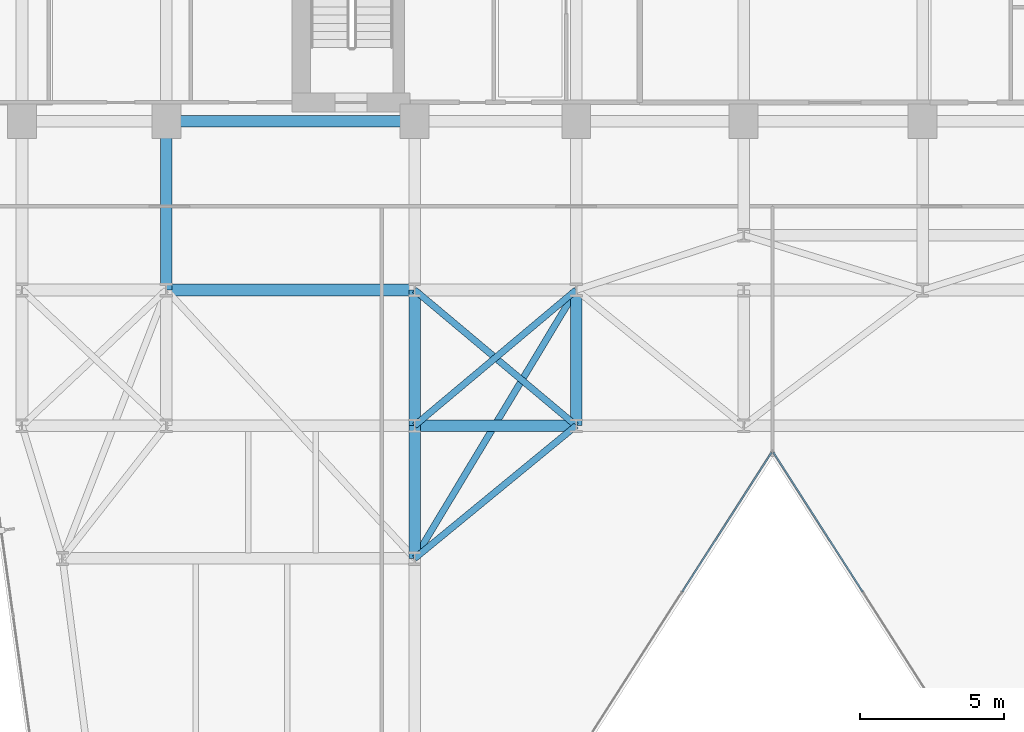
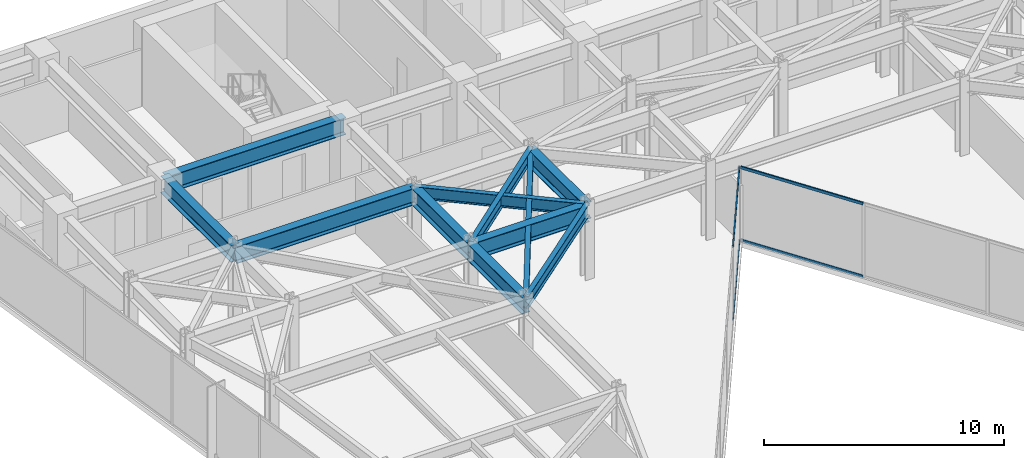
# One storey, part 12 of 26: 11 beams, 4 members, 2 elements without a shape of their own.
"""IFC4 building model written with IfcOpenShell, lengths in metres."""

from ifc_helpers import new_model, si_unit, direction, frame, origin, origin_2d, place, context, subcontext, project, spatial, hollow_rectangle, i_section, extrude, material, layer, layer_set, material_profile, profile_set, type_object, element, aggregate, save


model = new_model("IFC4")

# Units and contexts
model_context = context("Model", 3, precision=1e-05, world=origin(), true_north=direction((0.0, 1.0)))
body_context = subcontext(model_context, "Body", "Model", "MODEL_VIEW")
ifc_project = project(units=[si_unit("LENGTHUNIT", "METRE"), si_unit("AREAUNIT", "SQUARE_METRE"), si_unit("VOLUMEUNIT", "CUBIC_METRE"), si_unit("PLANEANGLEUNIT", "RADIAN"), si_unit("MASSUNIT", "GRAM", prefix="KILO")], contexts=[model_context])

# Site, building, storey
site_placement = place(None, origin())
site = spatial("IfcSite", under=ifc_project, at=site_placement, CompositionType="ELEMENT")
building_placement = place(site_placement, origin())
building = spatial("IfcBuilding", under=site, at=building_placement, Name="Kravanh Interchange Tower", CompositionType="ELEMENT")
storey_placement = place(building_placement, frame((0.0, 0.0, 124.0)))
storey = spatial("IfcBuildingStorey", under=building, at=storey_placement, Name="L29", CompositionType="ELEMENT", Elevation=124.0)

# Curtain wall, members
ifc_material_1 = material(Name="Anodised Bronze Aluminium", Category="aluminium")
ifc_layer = layer(ifc_material_1, 0.179931640625)
ifc_layer_set = layer_set([ifc_layer], Name="Unitised Curtain Wall System CW-Z2 Mid Office")
curtain_wall_type = type_object("IfcCurtainWallType", Name="Unitised Curtain Wall System CW-Z2 Mid Office", PredefinedType="NOTDEFINED", material=ifc_layer_set)
curtain_wall_1_placement = place(storey_placement, origin())
curtain_wall_1 = element("IfcCurtainWall", 1, at=curtain_wall_1_placement, inside=storey, type_object=curtain_wall_type, Name="L29 Unitised Curtain Wall CW-L29-04", PredefinedType="NOTDEFINED")
ifc_material_2 = material(Name="Anodised Bronze Aluminium", Category="aluminium")
ifc_material_profile_1 = material_profile(ifc_material_2, hollow_rectangle(XDim=0.06005859375, YDim=0.139892578125, WallThickness=0.00390625, at=origin_2d()), Name="ALU60X140X4")
ifc_profile_set_1 = profile_set([ifc_material_profile_1], Name="Anodised Bronze Aluminium")
member_type = type_object("IfcMemberType", Name="Curtain Wall Transom ALU60X140X4 Bronze", PredefinedType="USERDEFINED", material=ifc_profile_set_1)
member_1_placement = place(storey_placement, frame((42.72509765625, 21.047119140625, 0.030029296875), z_axis=(-0.53966766312, 0.841878146398, 0.0), x_axis=(-0.841878146398, -0.53966766312, 0.0)))
member_1 = element("IfcMember", 2, at=member_1_placement, type_object=member_type, Name="CW-Z2 transom 4.1", ObjectType="TRANSOM", PredefinedType="USERDEFINED", context=body_context, shape_type="SweptSolid", body=[
    extrude(hollow_rectangle(XDim=0.06005859375, YDim=0.139892578125, WallThickness=0.00390625, at=origin_2d()), origin(), (0.0, 0.0, 1.0), 5.73095703125),
])
member_2_placement = place(storey_placement, frame((42.72509765625, 21.047119140625, 3.719970703125), z_axis=(-0.53966766312, 0.841878146398, 0.0), x_axis=(-0.841878146398, -0.53966766312, 0.0)))
member_2 = element("IfcMember", 3, at=member_2_placement, type_object=member_type, Name="CW-Z2 transom 4.2", ObjectType="TRANSOM", PredefinedType="USERDEFINED", context=body_context, shape_type="SweptSolid", body=[
    extrude(hollow_rectangle(XDim=0.06005859375, YDim=0.139892578125, WallThickness=0.00390625, at=origin_2d()), origin(), (0.0, 0.0, 1.0), 5.73095703125),
])
aggregate(curtain_wall_1, [member_1, member_2])

curtain_wall_2_placement = place(storey_placement, origin())
curtain_wall_2 = element("IfcCurtainWall", 4, at=curtain_wall_2_placement, inside=storey, type_object=curtain_wall_type, Name="L29 Unitised Curtain Wall CW-L29-05", PredefinedType="NOTDEFINED")
member_3_placement = place(storey_placement, frame((39.567626953125, 25.871826171875, 0.030029296875), z_axis=(-0.53966766312, -0.841878146398, 0.0), x_axis=(0.841878146398, -0.53966766312, 0.0)))
member_3 = element("IfcMember", 5, at=member_3_placement, type_object=member_type, Name="CW-Z2 transom 1.1", ObjectType="TRANSOM", PredefinedType="USERDEFINED", context=body_context, shape_type="SweptSolid", body=[
    extrude(hollow_rectangle(XDim=0.06005859375, YDim=0.139892578125, WallThickness=0.00390625, at=origin_2d()), origin(), (0.0, 0.0, 1.0), 5.73095703125),
])
member_4_placement = place(storey_placement, frame((39.567626953125, 25.871826171875, 3.719970703125), z_axis=(-0.53966766312, -0.841878146398, 0.0), x_axis=(0.841878146398, -0.53966766312, 0.0)))
member_4 = element("IfcMember", 6, at=member_4_placement, type_object=member_type, Name="CW-Z2 transom 1.2", ObjectType="TRANSOM", PredefinedType="USERDEFINED", context=body_context, shape_type="SweptSolid", body=[
    extrude(hollow_rectangle(XDim=0.06005859375, YDim=0.139892578125, WallThickness=0.00390625, at=origin_2d()), origin(), (0.0, 0.0, 1.0), 5.73095703125),
])
aggregate(curtain_wall_2, [member_3, member_4])

# Beams
ifc_material_3 = material(Name="Structural Steel S355", Category="steel")
ifc_material_profile_2 = material_profile(ifc_material_3, i_section(OverallWidth=0.39990234375, OverallDepth=0.85595703125, WebThickness=0.018310546875, FlangeThickness=0.029296875, FilletRadius=0.02490234375, at=origin_2d()), Name="W33X201")
ifc_profile_set_2 = profile_set([ifc_material_profile_2], Name="Structural Steel S355")
beam_type_1 = type_object("IfcBeamType", Name="Floor Beam W33X201 Structural Steel S355", PredefinedType="BEAM", material=ifc_profile_set_2)
beam_1_placement = place(storey_placement, frame((27.199951171875, 37.35009765625, 3.322021484375), z_axis=(-1.0, 0.0, 0.0), x_axis=(0.0, -1.0, 0.0)))
element("IfcBeam", 7, at=beam_1_placement, inside=storey, type_object=beam_type_1, Name="L29 Primary Floor Girder 25", PredefinedType="BEAM", context=body_context, shape_type="SweptSolid", body=[
    extrude(i_section(OverallWidth=0.39990234375, OverallDepth=0.85595703125, WebThickness=0.018310546875, FlangeThickness=0.029296875, FilletRadius=0.02490234375, at=origin_2d()), origin(), (0.0, 0.0, 1.0), 8.599853515625),
])
beam_2_placement = place(storey_placement, frame((18.60009765625, 37.35009765625, 3.322021484375), z_axis=(0.0, -1.0, 0.0), x_axis=(1.0, 0.0, 0.0)))
element("IfcBeam", 8, at=beam_2_placement, inside=storey, type_object=beam_type_1, Name="L29 Primary Floor Girder 29", PredefinedType="BEAM", context=body_context, shape_type="SweptSolid", body=[
    extrude(i_section(OverallWidth=0.39990234375, OverallDepth=0.85595703125, WebThickness=0.018310546875, FlangeThickness=0.029296875, FilletRadius=0.02490234375, at=origin_2d()), origin(), (0.0, 0.0, 1.0), 5.85009765625),
])
beam_3_placement = place(storey_placement, frame((27.199951171875, 26.800048828125, 3.322021484375), z_axis=(0.0, -1.0, 0.0), x_axis=(1.0, 0.0, 0.0)))
element("IfcBeam", 9, at=beam_3_placement, inside=storey, type_object=beam_type_1, Name="L29 Primary Floor Girder 45", PredefinedType="BEAM", context=body_context, shape_type="SweptSolid", body=[
    extrude(i_section(OverallWidth=0.39990234375, OverallDepth=0.85595703125, WebThickness=0.018310546875, FlangeThickness=0.029296875, FilletRadius=0.02490234375, at=origin_2d()), origin(), (0.0, 0.0, 1.0), 4.60009765625),
])
beam_4_placement = place(storey_placement, frame((27.199951171875, 26.800048828125, 3.322021484375), z_axis=(0.0, 1.0, 0.0), x_axis=(-1.0, 0.0, 0.0)))
element("IfcBeam", 10, at=beam_4_placement, inside=storey, type_object=beam_type_1, Name="L29 Primary Floor Girder 46", PredefinedType="BEAM", context=body_context, shape_type="SweptSolid", body=[
    extrude(i_section(OverallWidth=0.39990234375, OverallDepth=0.85595703125, WebThickness=0.018310546875, FlangeThickness=0.029296875, FilletRadius=0.02490234375, at=origin_2d()), origin(), (0.0, 0.0, 1.0), 4.699951171875),
])
beam_5_placement = place(storey_placement, frame((27.199951171875, 26.800048828125, 3.322021484375), z_axis=(1.0, 0.0, 0.0), x_axis=(0.0, 1.0, 0.0)))
element("IfcBeam", 11, at=beam_5_placement, inside=storey, type_object=beam_type_1, Name="L29 Primary Floor Girder 47", PredefinedType="BEAM", context=body_context, shape_type="SweptSolid", body=[
    extrude(i_section(OverallWidth=0.39990234375, OverallDepth=0.85595703125, WebThickness=0.018310546875, FlangeThickness=0.029296875, FilletRadius=0.02490234375, at=origin_2d()), origin(), (0.0, 0.0, 1.0), 5.60009765625),
])
beam_6_placement = place(storey_placement, frame((32.800048828125, 26.800048828125, 3.322021484375), z_axis=(0.0, 1.0, 0.0), x_axis=(-1.0, 0.0, 0.0)))
element("IfcBeam", 12, at=beam_6_placement, inside=storey, type_object=beam_type_1, Name="L29 Primary Floor Girder 49", PredefinedType="BEAM", context=body_context, shape_type="SweptSolid", body=[
    extrude(i_section(OverallWidth=0.39990234375, OverallDepth=0.85595703125, WebThickness=0.018310546875, FlangeThickness=0.029296875, FilletRadius=0.02490234375, at=origin_2d()), origin(), (0.0, 0.0, 1.0), 4.699951171875),
])
beam_7_placement = place(storey_placement, frame((18.60009765625, 31.5, 3.322021484375), z_axis=(1.0, 0.0, 0.0), x_axis=(0.0, 1.0, 0.0)))
element("IfcBeam", 13, at=beam_7_placement, inside=storey, type_object=beam_type_1, Name="L29 Primary Floor Girder 71", PredefinedType="BEAM", context=body_context, shape_type="SweptSolid", body=[
    extrude(i_section(OverallWidth=0.39990234375, OverallDepth=0.85595703125, WebThickness=0.018310546875, FlangeThickness=0.029296875, FilletRadius=0.02490234375, at=origin_2d()), origin(), (0.0, 0.0, 1.0), 8.599853515625),
])
ifc_material_4 = material(Name="Structural Steel S355", Category="steel")
ifc_material_profile_3 = material_profile(ifc_material_4, i_section(OverallWidth=0.22802734375, OverallDepth=0.60791015625, WebThickness=0.01123046875, FlangeThickness=0.017333984375, FilletRadius=0.02197265625, at=origin_2d()), Name="W24X76")
ifc_profile_set_3 = profile_set([ifc_material_profile_3], Name="Structural Steel S355")
beam_type_2 = type_object("IfcBeamType", Name="Floor Spandrel W24X76 Structural Steel S355", PredefinedType="SPANDREL", material=ifc_profile_set_3)
beam_8_placement = place(storey_placement, frame((27.199951171875, 26.800048828125, 3.446044921875), z_axis=(0.765983062929, 0.642860752657, 0.0), x_axis=(-0.642860752657, 0.765983062929, 0.0)))
element("IfcBeam", 14, at=beam_8_placement, inside=storey, type_object=beam_type_2, Name="L29 Perimeter Spandrel 48", PredefinedType="SPANDREL", context=body_context, shape_type="SweptSolid", body=[
    extrude(i_section(OverallWidth=0.22802734375, OverallDepth=0.60791015625, WebThickness=0.01123046875, FlangeThickness=0.017333984375, FilletRadius=0.02197265625, at=origin_2d()), origin(), (0.0, 0.0, 1.0), 7.31103515625),
])
beam_9_placement = place(storey_placement, frame((32.800048828125, 26.800048828125, 3.446044921875), z_axis=(-0.772725074305, -0.634740860147, 0.0), x_axis=(0.634740860147, -0.772725074305, 0.0)))
element("IfcBeam", 15, at=beam_9_placement, inside=storey, type_object=beam_type_2, Name="L29 Perimeter Spandrel 51", PredefinedType="SPANDREL", context=body_context, shape_type="SweptSolid", body=[
    extrude(i_section(OverallWidth=0.22802734375, OverallDepth=0.60791015625, WebThickness=0.01123046875, FlangeThickness=0.017333984375, FilletRadius=0.02197265625, at=origin_2d()), origin(), (0.0, 0.0, 1.0), 7.247314453125),
])
beam_10_placement = place(storey_placement, frame((32.800048828125, 26.800048828125, 3.446044921875), z_axis=(-0.765983062929, 0.642860752657, 0.0), x_axis=(-0.642860752657, -0.765983062929, 0.0)))
element("IfcBeam", 16, at=beam_10_placement, inside=storey, type_object=beam_type_2, Name="L29 Perimeter Spandrel 52", PredefinedType="SPANDREL", context=body_context, shape_type="SweptSolid", body=[
    extrude(i_section(OverallWidth=0.22802734375, OverallDepth=0.60791015625, WebThickness=0.01123046875, FlangeThickness=0.017333984375, FilletRadius=0.02197265625, at=origin_2d()), origin(), (0.0, 0.0, 1.0), 7.31103515625),
])
beam_11_placement = place(storey_placement, frame((32.800048828125, 31.5, 3.446044921875), z_axis=(-0.515854375109, -0.856676288735, 0.0), x_axis=(0.856676288735, -0.515854375109, 0.0)))
element("IfcBeam", 17, at=beam_11_placement, inside=storey, type_object=beam_type_2, Name="L29 Perimeter Spandrel 80", PredefinedType="SPANDREL", context=body_context, shape_type="SweptSolid", body=[
    extrude(i_section(OverallWidth=0.22802734375, OverallDepth=0.60791015625, WebThickness=0.01123046875, FlangeThickness=0.017333984375, FilletRadius=0.02197265625, at=origin_2d()), origin(), (0.0, 0.0, 1.0), 10.85595703125),
])

save(model, "model.ifc")
